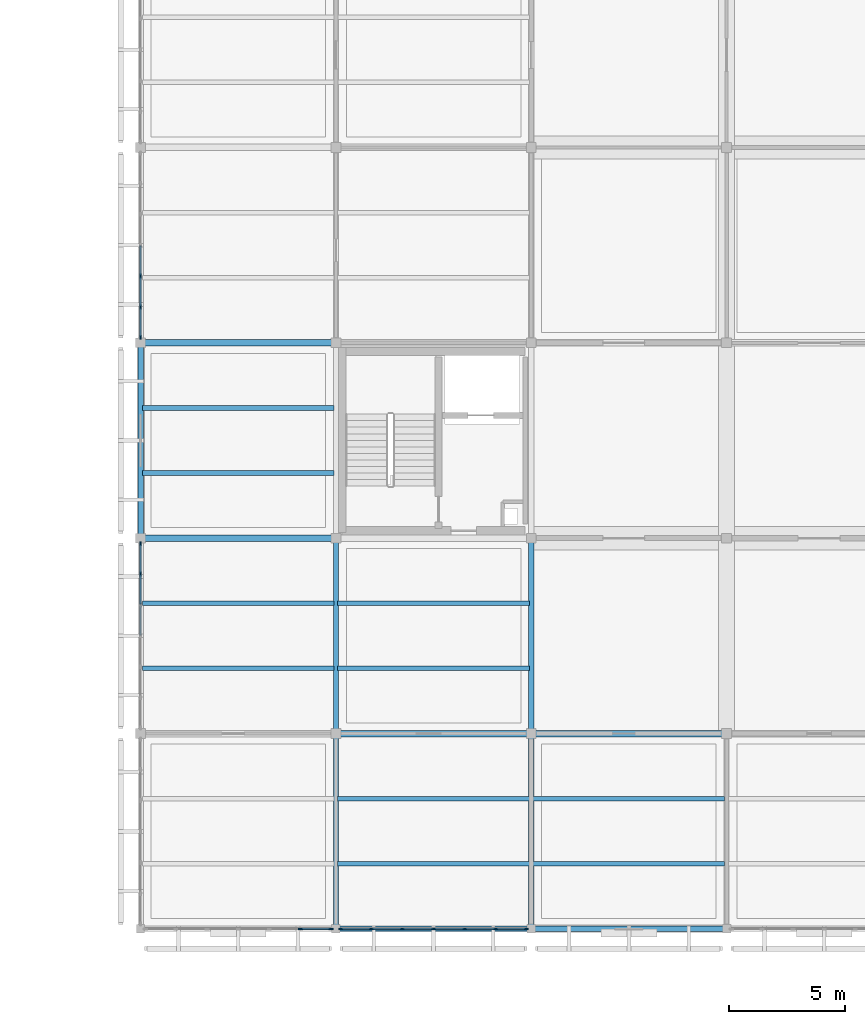
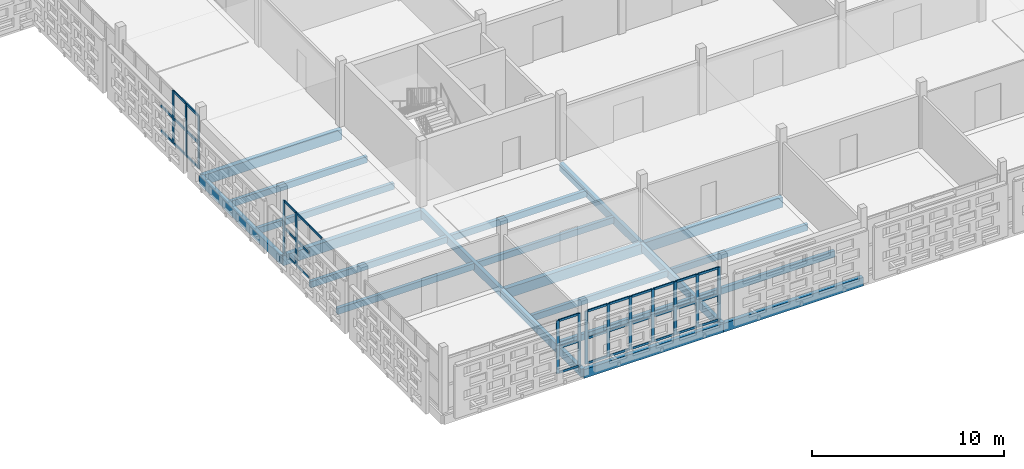
# One storey, part 17 of 166: 50 members, 21 beams, 4 elements without a shape of their own.
"""IFC4 building model written with IfcOpenShell, lengths in metres."""

from ifc_helpers import new_model, si_unit, direction, frame, origin, origin_2d, place, context, subcontext, project, spatial, rectangle, extrude, material, layer, layer_set, material_profile, profile_set, type_object, element, aggregate, save


model = new_model("IFC4")

# Units and contexts
model_context = context("Model", 3, precision=1e-05, world=origin(), true_north=direction((0.0, 1.0)))
body_context = subcontext(model_context, "Body", "Model", "MODEL_VIEW")
ifc_project = project(units=[si_unit("LENGTHUNIT", "METRE"), si_unit("AREAUNIT", "SQUARE_METRE"), si_unit("VOLUMEUNIT", "CUBIC_METRE"), si_unit("PLANEANGLEUNIT", "RADIAN"), si_unit("MASSUNIT", "GRAM", prefix="KILO")], contexts=[model_context])

# Site, building, storey
site_placement = place(None, origin())
site = spatial("IfcSite", under=ifc_project, at=site_placement, CompositionType="ELEMENT")
building_placement = place(site_placement, origin())
building = spatial("IfcBuilding", under=site, at=building_placement, Name="Varnapada Polytechnic", CompositionType="ELEMENT")
storey_placement = place(building_placement, frame((0.0, 0.0, 9.60009765625)))
storey = spatial("IfcBuildingStorey", under=building, at=storey_placement, Name="L02", CompositionType="ELEMENT", Elevation=9.60009765625)

# Beams
ifc_material_1 = material(Name="Glulam GL32h", Category="wood")
ifc_material_profile_1 = material_profile(ifc_material_1, rectangle(XDim=0.280029296875, YDim=0.639892578125, at=origin_2d()), Name="GL 280x640")
ifc_profile_set_1 = profile_set([ifc_material_profile_1], Name="Glulam GL32h")
beam_type_1 = type_object("IfcBeamType", Name="Laboratory primary glulam girder GG-02 (GL 280x640)", PredefinedType="BEAM", material=ifc_profile_set_1)
for number, where, z_axis, x_axis, name in (
    (1, (8.39990234375, 16.800048828125, -0.56005859375), (1.0, 0.0, 0.0), (0.0, 1.0, 0.0), "L02 beam X 2-3 at Y3"),
    (2, (8.39990234375, 25.199951171875, -0.56005859375), (1.0, 0.0, 0.0), (0.0, 1.0, 0.0), "L02 beam X 2-3 at Y4"),
):
    element("IfcBeam", number, at=place(storey_placement, frame(where, z_axis=z_axis, x_axis=x_axis)), inside=storey, type_object=beam_type_1, Name=name, PredefinedType="BEAM", context=body_context, shape_type="SweptSolid", body=[
        extrude(rectangle(XDim=0.280029296875, YDim=0.639892578125, at=origin_2d()), origin(), (0.0, 0.0, 1.0), 8.400146484375),
    ])
beam_1_placement = place(storey_placement, frame((16.800048828125, 8.39990234375, -0.56005859375), z_axis=(1.0, 0.0, 0.0), x_axis=(0.0, 1.0, 0.0)))
element("IfcBeam", 3, at=beam_1_placement, inside=storey, type_object=beam_type_1, Name="L02 beam X 3-4 at Y2", PredefinedType="BEAM", context=body_context, shape_type="SweptSolid", body=[
    extrude(rectangle(XDim=0.280029296875, YDim=0.639892578125, at=origin_2d()), origin(), (0.0, 0.0, 1.0), 8.39990234375),
])
beam_2_placement = place(storey_placement, frame((25.199951171875, 8.39990234375, -0.56005859375), z_axis=(1.0, 0.0, 0.0), x_axis=(0.0, 1.0, 0.0)))
element("IfcBeam", 4, at=beam_2_placement, inside=storey, type_object=beam_type_1, Name="L02 beam X 4-5 at Y2", PredefinedType="BEAM", context=body_context, shape_type="SweptSolid", body=[
    extrude(rectangle(XDim=0.280029296875, YDim=0.639892578125, at=origin_2d()), origin(), (0.0, 0.0, 1.0), 8.400146484375),
])
ifc_material_profile_2 = material_profile(ifc_material_1, rectangle(XDim=0.219970703125, YDim=0.52001953125, at=origin_2d()), Name="GL 220x520")
ifc_profile_set_2 = profile_set([ifc_material_profile_2], Name="Glulam GL32h")
beam_type_2 = type_object("IfcBeamType", Name="Laboratory transverse glulam beam GB-12 (GL 220x520)", PredefinedType="BEAM", material=ifc_profile_set_2)
beam_3_placement = place(storey_placement, frame((16.800048828125, 0.0, -0.5), z_axis=(0.0, 1.0, 0.0), x_axis=(-1.0, 0.0, 0.0)))
element("IfcBeam", 5, at=beam_3_placement, inside=storey, type_object=beam_type_2, Name="L02 beam Y 1-2 at X3", PredefinedType="BEAM", context=body_context, shape_type="SweptSolid", body=[
    extrude(rectangle(XDim=0.219970703125, YDim=0.52001953125, at=origin_2d()), origin(), (0.0, 0.0, 1.0), 8.39990234375),
])
beam_4_placement = place(storey_placement, frame((16.800048828125, 8.39990234375, -0.5), z_axis=(0.0, 1.0, 0.0), x_axis=(-1.0, 0.0, 0.0)))
element("IfcBeam", 6, at=beam_4_placement, inside=storey, type_object=beam_type_2, Name="L02 beam Y 2-3 at X3", PredefinedType="BEAM", context=body_context, shape_type="SweptSolid", body=[
    extrude(rectangle(XDim=0.219970703125, YDim=0.52001953125, at=origin_2d()), origin(), (0.0, 0.0, 1.0), 8.400146484375),
])
beam_5_placement = place(storey_placement, frame((25.199951171875, 0.0, -0.5), z_axis=(0.0, 1.0, 0.0), x_axis=(-1.0, 0.0, 0.0)))
element("IfcBeam", 7, at=beam_5_placement, inside=storey, type_object=beam_type_2, Name="L02 beam Y 1-2 at X4", PredefinedType="BEAM", context=body_context, shape_type="SweptSolid", body=[
    extrude(rectangle(XDim=0.219970703125, YDim=0.52001953125, at=origin_2d()), origin(), (0.0, 0.0, 1.0), 8.39990234375),
])
beam_6_placement = place(storey_placement, frame((25.199951171875, 8.39990234375, -0.5), z_axis=(0.0, 1.0, 0.0), x_axis=(-1.0, 0.0, 0.0)))
element("IfcBeam", 8, at=beam_6_placement, inside=storey, type_object=beam_type_2, Name="L02 beam Y 2-3 at X4", PredefinedType="BEAM", context=body_context, shape_type="SweptSolid", body=[
    extrude(rectangle(XDim=0.219970703125, YDim=0.52001953125, at=origin_2d()), origin(), (0.0, 0.0, 1.0), 8.400146484375),
])
ifc_material_profile_3 = material_profile(ifc_material_1, rectangle(XDim=0.199951171875, YDim=0.39990234375, at=origin_2d()), Name="GL 200x400")
ifc_profile_set_3 = profile_set([ifc_material_profile_3], Name="Glulam GL32h")
beam_type_3 = type_object("IfcBeamType", Name="Library/laboratory glulam floor joist GJ-01 (GL 200x400)", PredefinedType="JOIST", material=ifc_profile_set_3)
for number, where, z_axis, x_axis, name in (
    (9, (8.47998046875, 11.199951171875, -0.440185546875), (1.0, 0.0, 0.0), (0.0, 1.0, 0.0), "L02 floor joist 2/2.1"),
    (10, (8.47998046875, 14.0, -0.440185546875), (1.0, 0.0, 0.0), (0.0, 1.0, 0.0), "L02 floor joist 2/2.2"),
    (11, (8.47998046875, 19.60009765625, -0.440185546875), (1.0, 0.0, 0.0), (0.0, 1.0, 0.0), "L02 floor joist 2/3.1"),
    (12, (8.47998046875, 22.39990234375, -0.440185546875), (1.0, 0.0, 0.0), (0.0, 1.0, 0.0), "L02 floor joist 2/3.2"),
):
    element("IfcBeam", number, at=place(storey_placement, frame(where, z_axis=z_axis, x_axis=x_axis)), inside=storey, type_object=beam_type_3, Name=name, PredefinedType="JOIST", context=body_context, shape_type="SweptSolid", body=[
        extrude(rectangle(XDim=0.199951171875, YDim=0.39990234375, at=origin_2d()), origin(), (0.0, 0.0, 1.0), 8.239990234375),
    ])
for number, where, z_axis, x_axis, name in (
    (13, (16.8798828125, 2.800048828125, -0.440185546875), (1.0, 0.0, 0.0), (0.0, 1.0, 0.0), "L02 floor joist 3/1.1"),
    (14, (16.8798828125, 5.60009765625, -0.440185546875), (1.0, 0.0, 0.0), (0.0, 1.0, 0.0), "L02 floor joist 3/1.2"),
    (15, (16.8798828125, 11.199951171875, -0.440185546875), (1.0, 0.0, 0.0), (0.0, 1.0, 0.0), "L02 floor joist 3/2.1"),
    (16, (16.8798828125, 14.0, -0.440185546875), (1.0, 0.0, 0.0), (0.0, 1.0, 0.0), "L02 floor joist 3/2.2"),
):
    element("IfcBeam", number, at=place(storey_placement, frame(where, z_axis=z_axis, x_axis=x_axis)), inside=storey, type_object=beam_type_3, Name=name, PredefinedType="JOIST", context=body_context, shape_type="SweptSolid", body=[
        extrude(rectangle(XDim=0.199951171875, YDim=0.39990234375, at=origin_2d()), origin(), (0.0, 0.0, 1.0), 8.240234375),
    ])
for number, where, z_axis, x_axis, name in (
    (17, (25.280029296875, 2.800048828125, -0.440185546875), (1.0, 0.0, 0.0), (0.0, 1.0, 0.0), "L02 floor joist 4/1.1"),
    (18, (25.280029296875, 5.60009765625, -0.440185546875), (1.0, 0.0, 0.0), (0.0, 1.0, 0.0), "L02 floor joist 4/1.2"),
):
    element("IfcBeam", number, at=place(storey_placement, frame(where, z_axis=z_axis, x_axis=x_axis)), inside=storey, type_object=beam_type_3, Name=name, PredefinedType="JOIST", context=body_context, shape_type="SweptSolid", body=[
        extrude(rectangle(XDim=0.199951171875, YDim=0.39990234375, at=origin_2d()), origin(), (0.0, 0.0, 1.0), 8.239990234375),
    ])

# Curtain wall, members
ifc_material_2 = material(Name="Double low-E laminated glass", Category="glass")
ifc_layer = layer(ifc_material_2, 0.179931640625)
ifc_layer_set = layer_set([ifc_layer], Name="Double low-E laminated glass")
curtain_wall_type = type_object("IfcCurtainWallType", Name="Curtain Wall CW-03", PredefinedType="NOTDEFINED", material=ifc_layer_set)
curtain_wall_1_placement = place(storey_placement, origin())
curtain_wall_1 = element("IfcCurtainWall", 19, at=curtain_wall_1_placement, inside=storey, type_object=curtain_wall_type, Name="L02 unitised curtain wall CW-03 (136)", PredefinedType="NOTDEFINED")
ifc_material_3 = material(Name="Anodised aluminium", Category="aluminium")
ifc_material_profile_4 = material_profile(ifc_material_3, rectangle(XDim=0.06494140625, YDim=0.179931640625, at=origin_2d()), Name="ALU M65x180")
ifc_profile_set_4 = profile_set([ifc_material_profile_4], Name="Anodised aluminium")
member_type_1 = type_object("IfcMemberType", Name="Mullion M-02", PredefinedType="MULLION", material=ifc_profile_set_4)
member_1_placement = place(storey_placement, frame((16.58740234375, 0.0, 0.0), z_axis=(0.0, 0.0, 1.0), x_axis=(0.0, -1.0, 0.0)))
member_1 = element("IfcMember", 20, at=member_1_placement, type_object=member_type_1, Name="CW-03 mullion 1", PredefinedType="MULLION", context=body_context, shape_type="SweptSolid", body=[
    extrude(rectangle(XDim=0.06494140625, YDim=0.179931640625, at=origin_2d()), origin(), (0.0, 0.0, 1.0), 3.35986328125),
])
member_2_placement = place(storey_placement, frame((15.280029296875, 0.0, 0.0), z_axis=(0.0, 0.0, 1.0), x_axis=(0.0, -1.0, 0.0)))
member_2 = element("IfcMember", 21, at=member_2_placement, type_object=member_type_1, Name="CW-03 mullion 2", PredefinedType="MULLION", context=body_context, shape_type="SweptSolid", body=[
    extrude(rectangle(XDim=0.06494140625, YDim=0.179931640625, at=origin_2d()), origin(), (0.0, 0.0, 1.0), 3.35986328125),
])

curtain_wall_2_placement = place(storey_placement, origin())
curtain_wall_2 = element("IfcCurtainWall", 22, at=curtain_wall_2_placement, inside=storey, type_object=curtain_wall_type, Name="L02 unitised curtain wall CW-03 (138)", PredefinedType="NOTDEFINED")
member_3_placement = place(storey_placement, frame((8.39990234375, 15.260009765625, 0.0), z_axis=(0.0, 0.0, 1.0), x_axis=(-1.0, 0.0, 0.0)))
member_3 = element("IfcMember", 23, at=member_3_placement, type_object=member_type_1, Name="CW-03 mullion 6", PredefinedType="MULLION", context=body_context, shape_type="SweptSolid", body=[
    extrude(rectangle(XDim=0.06494140625, YDim=0.179931640625, at=origin_2d()), origin(), (0.0, 0.0, 1.0), 3.35986328125),
])
member_4_placement = place(storey_placement, frame((8.39990234375, 16.5576171875, 0.0), z_axis=(0.0, 0.0, 1.0), x_axis=(-1.0, 0.0, 0.0)))
member_4 = element("IfcMember", 24, at=member_4_placement, type_object=member_type_1, Name="CW-03 mullion 7", PredefinedType="MULLION", context=body_context, shape_type="SweptSolid", body=[
    extrude(rectangle(XDim=0.06494140625, YDim=0.179931640625, at=origin_2d()), origin(), (0.0, 0.0, 1.0), 3.35986328125),
])

curtain_wall_3_placement = place(storey_placement, origin())
curtain_wall_3 = element("IfcCurtainWall", 25, at=curtain_wall_3_placement, inside=storey, type_object=curtain_wall_type, Name="L02 unitised curtain wall CW-03 (139)", PredefinedType="NOTDEFINED")
member_5_placement = place(storey_placement, frame((8.39990234375, 25.4423828125, 0.0), z_axis=(0.0, 0.0, 1.0), x_axis=(-1.0, 0.0, 0.0)))
member_5 = element("IfcMember", 26, at=member_5_placement, type_object=member_type_1, Name="CW-03 mullion 1", PredefinedType="MULLION", context=body_context, shape_type="SweptSolid", body=[
    extrude(rectangle(XDim=0.06494140625, YDim=0.179931640625, at=origin_2d()), origin(), (0.0, 0.0, 1.0), 3.35986328125),
])
member_6_placement = place(storey_placement, frame((8.39990234375, 26.739990234375, 0.0), z_axis=(0.0, 0.0, 1.0), x_axis=(-1.0, 0.0, 0.0)))
member_6 = element("IfcMember", 27, at=member_6_placement, type_object=member_type_1, Name="CW-03 mullion 2", PredefinedType="MULLION", context=body_context, shape_type="SweptSolid", body=[
    extrude(rectangle(XDim=0.06494140625, YDim=0.179931640625, at=origin_2d()), origin(), (0.0, 0.0, 1.0), 3.35986328125),
])
member_7_placement = place(storey_placement, frame((8.39990234375, 28.070068359375, 0.0), z_axis=(0.0, 0.0, 1.0), x_axis=(-1.0, 0.0, 0.0)))
member_7 = element("IfcMember", 28, at=member_7_placement, type_object=member_type_1, Name="CW-03 mullion 3", PredefinedType="MULLION", context=body_context, shape_type="SweptSolid", body=[
    extrude(rectangle(XDim=0.06494140625, YDim=0.179931640625, at=origin_2d()), origin(), (0.0, 0.0, 1.0), 3.35986328125),
])

curtain_wall_4_placement = place(storey_placement, origin())
curtain_wall_4 = element("IfcCurtainWall", 29, at=curtain_wall_4_placement, inside=storey, type_object=curtain_wall_type, Name="L02 unitised curtain wall CW-03 (141)", PredefinedType="NOTDEFINED")
member_8_placement = place(storey_placement, frame((24.987548828125, 0.0, 0.0), z_axis=(0.0, 0.0, 1.0), x_axis=(0.0, -1.0, 0.0)))
member_8 = element("IfcMember", 30, at=member_8_placement, type_object=member_type_1, Name="CW-03 mullion 1", PredefinedType="MULLION", context=body_context, shape_type="SweptSolid", body=[
    extrude(rectangle(XDim=0.06494140625, YDim=0.179931640625, at=origin_2d()), origin(), (0.0, 0.0, 1.0), 3.35986328125),
])
member_9_placement = place(storey_placement, frame((23.679931640625, 0.0, 0.0), z_axis=(0.0, 0.0, 1.0), x_axis=(0.0, -1.0, 0.0)))
member_9 = element("IfcMember", 31, at=member_9_placement, type_object=member_type_1, Name="CW-03 mullion 2", PredefinedType="MULLION", context=body_context, shape_type="SweptSolid", body=[
    extrude(rectangle(XDim=0.06494140625, YDim=0.179931640625, at=origin_2d()), origin(), (0.0, 0.0, 1.0), 3.35986328125),
])
member_10_placement = place(storey_placement, frame((22.340087890625, 0.0, 0.0), z_axis=(0.0, 0.0, 1.0), x_axis=(0.0, -1.0, 0.0)))
member_10 = element("IfcMember", 32, at=member_10_placement, type_object=member_type_1, Name="CW-03 mullion 3", PredefinedType="MULLION", context=body_context, shape_type="SweptSolid", body=[
    extrude(rectangle(XDim=0.06494140625, YDim=0.179931640625, at=origin_2d()), origin(), (0.0, 0.0, 1.0), 3.35986328125),
])
member_11_placement = place(storey_placement, frame((21.0, 0.0, 0.0), z_axis=(0.0, 0.0, 1.0), x_axis=(0.0, -1.0, 0.0)))
member_11 = element("IfcMember", 33, at=member_11_placement, type_object=member_type_1, Name="CW-03 mullion 4", PredefinedType="MULLION", context=body_context, shape_type="SweptSolid", body=[
    extrude(rectangle(XDim=0.06494140625, YDim=0.179931640625, at=origin_2d()), origin(), (0.0, 0.0, 1.0), 3.35986328125),
])
member_12_placement = place(storey_placement, frame((19.659912109375, 0.0, 0.0), z_axis=(0.0, 0.0, 1.0), x_axis=(0.0, -1.0, 0.0)))
member_12 = element("IfcMember", 34, at=member_12_placement, type_object=member_type_1, Name="CW-03 mullion 5", PredefinedType="MULLION", context=body_context, shape_type="SweptSolid", body=[
    extrude(rectangle(XDim=0.06494140625, YDim=0.179931640625, at=origin_2d()), origin(), (0.0, 0.0, 1.0), 3.35986328125),
])
member_13_placement = place(storey_placement, frame((18.320068359375, 0.0, 0.0), z_axis=(0.0, 0.0, 1.0), x_axis=(0.0, -1.0, 0.0)))
member_13 = element("IfcMember", 35, at=member_13_placement, type_object=member_type_1, Name="CW-03 mullion 6", PredefinedType="MULLION", context=body_context, shape_type="SweptSolid", body=[
    extrude(rectangle(XDim=0.06494140625, YDim=0.179931640625, at=origin_2d()), origin(), (0.0, 0.0, 1.0), 3.35986328125),
])
member_14_placement = place(storey_placement, frame((17.012451171875, 0.0, 0.0), z_axis=(0.0, 0.0, 1.0), x_axis=(0.0, -1.0, 0.0)))
member_14 = element("IfcMember", 36, at=member_14_placement, type_object=member_type_1, Name="CW-03 mullion 7", PredefinedType="MULLION", context=body_context, shape_type="SweptSolid", body=[
    extrude(rectangle(XDim=0.06494140625, YDim=0.179931640625, at=origin_2d()), origin(), (0.0, 0.0, 1.0), 3.35986328125),
])

# Beams
ifc_material_profile_5 = material_profile(ifc_material_1, rectangle(XDim=0.239990234375, YDim=0.56005859375, at=origin_2d()), Name="GL 240x560")
ifc_profile_set_5 = profile_set([ifc_material_profile_5], Name="Glulam GL32h")
beam_type_4 = type_object("IfcBeamType", Name="Perimeter glulam spandrel beam SP-02 (GL 240x560)", PredefinedType="SPANDREL", material=ifc_profile_set_5)
beam_7_placement = place(storey_placement, frame((16.800048828125, 0.0, -0.52001953125), z_axis=(1.0, 0.0, 0.0), x_axis=(0.0, 1.0, 0.0)))
element("IfcBeam", 37, at=beam_7_placement, inside=storey, type_object=beam_type_4, Name="L02 beam X 3-4 at Y1", PredefinedType="SPANDREL", context=body_context, shape_type="SweptSolid", body=[
    extrude(rectangle(XDim=0.239990234375, YDim=0.56005859375, at=origin_2d()), origin(), (0.0, 0.0, 1.0), 8.39990234375),
])
beam_8_placement = place(storey_placement, frame((25.199951171875, 0.0, -0.52001953125), z_axis=(1.0, 0.0, 0.0), x_axis=(0.0, 1.0, 0.0)))
element("IfcBeam", 38, at=beam_8_placement, inside=storey, type_object=beam_type_4, Name="L02 beam X 4-5 at Y1", PredefinedType="SPANDREL", context=body_context, shape_type="SweptSolid", body=[
    extrude(rectangle(XDim=0.239990234375, YDim=0.56005859375, at=origin_2d()), origin(), (0.0, 0.0, 1.0), 8.400146484375),
])
beam_9_placement = place(storey_placement, frame((8.39990234375, 16.800048828125, -0.52001953125), z_axis=(0.0, 1.0, 0.0), x_axis=(-1.0, 0.0, 0.0)))
element("IfcBeam", 39, at=beam_9_placement, inside=storey, type_object=beam_type_4, Name="L02 beam Y 3-4 at X2", PredefinedType="SPANDREL", context=body_context, shape_type="SweptSolid", body=[
    extrude(rectangle(XDim=0.239990234375, YDim=0.56005859375, at=origin_2d()), origin(), (0.0, 0.0, 1.0), 8.39990234375),
])

# Member
ifc_material_profile_6 = material_profile(ifc_material_3, rectangle(XDim=0.06494140625, YDim=0.139892578125, at=origin_2d()), Name="ALU T65x140")
ifc_profile_set_6 = profile_set([ifc_material_profile_6], Name="Anodised aluminium")
member_type_2 = type_object("IfcMemberType", Name="Transom T-02", PredefinedType="USERDEFINED", material=ifc_profile_set_6)
member_15_placement = place(storey_placement, frame((16.554931640625, 0.0, 0.032470703125), z_axis=(-1.0, 0.0, 0.0), x_axis=(0.0, -1.0, 0.0)))
member_15 = element("IfcMember", 40, at=member_15_placement, type_object=member_type_2, Name="CW-03 transom 1.1", ObjectType="TRANSOM", PredefinedType="USERDEFINED", context=body_context, shape_type="SweptSolid", body=[
    extrude(rectangle(XDim=0.06494140625, YDim=0.139892578125, at=origin_2d()), origin(), (0.0, 0.0, 1.0), 1.242431640625),
])

member_16_placement = place(storey_placement, frame((16.554931640625, 0.0, 1.61279296875), z_axis=(-1.0, 0.0, 0.0), x_axis=(0.0, -1.0, 0.0)))
member_16 = element("IfcMember", 41, at=member_16_placement, type_object=member_type_2, Name="CW-03 transom 1.2", ObjectType="TRANSOM", PredefinedType="USERDEFINED", context=body_context, shape_type="SweptSolid", body=[
    extrude(rectangle(XDim=0.06494140625, YDim=0.139892578125, at=origin_2d()), origin(), (0.0, 0.0, 1.0), 1.242431640625),
])

member_17_placement = place(storey_placement, frame((16.554931640625, 0.0, 3.327392578125), z_axis=(-1.0, 0.0, 0.0), x_axis=(0.0, -1.0, 0.0)))
member_17 = element("IfcMember", 42, at=member_17_placement, type_object=member_type_2, Name="CW-03 transom 1.3", ObjectType="TRANSOM", PredefinedType="USERDEFINED", context=body_context, shape_type="SweptSolid", body=[
    extrude(rectangle(XDim=0.06494140625, YDim=0.139892578125, at=origin_2d()), origin(), (0.0, 0.0, 1.0), 1.242431640625),
])

aggregate(curtain_wall_1, [member_1, member_2, member_15, member_16, member_17])

member_18_placement = place(storey_placement, frame((8.39990234375, 12.632568359375, 3.327392578125), z_axis=(0.0, 1.0, 0.0), x_axis=(-1.0, 0.0, 0.0)))
member_18 = element("IfcMember", 43, at=member_18_placement, type_object=member_type_2, Name="CW-03 transom 4.3", ObjectType="TRANSOM", PredefinedType="USERDEFINED", context=body_context, shape_type="SweptSolid", body=[
    extrude(rectangle(XDim=0.06494140625, YDim=0.139892578125, at=origin_2d()), origin(), (0.0, 0.0, 1.0), 1.264892578125),
])

member_19_placement = place(storey_placement, frame((8.39990234375, 13.96240234375, 0.032470703125), z_axis=(0.0, 1.0, 0.0), x_axis=(-1.0, 0.0, 0.0)))
member_19 = element("IfcMember", 44, at=member_19_placement, type_object=member_type_2, Name="CW-03 transom 5.1", ObjectType="TRANSOM", PredefinedType="USERDEFINED", context=body_context, shape_type="SweptSolid", body=[
    extrude(rectangle(XDim=0.06494140625, YDim=0.139892578125, at=origin_2d()), origin(), (0.0, 0.0, 1.0), 1.26513671875),
])

member_20_placement = place(storey_placement, frame((8.39990234375, 13.96240234375, 1.61279296875), z_axis=(0.0, 1.0, 0.0), x_axis=(-1.0, 0.0, 0.0)))
member_20 = element("IfcMember", 45, at=member_20_placement, type_object=member_type_2, Name="CW-03 transom 5.2", ObjectType="TRANSOM", PredefinedType="USERDEFINED", context=body_context, shape_type="SweptSolid", body=[
    extrude(rectangle(XDim=0.06494140625, YDim=0.139892578125, at=origin_2d()), origin(), (0.0, 0.0, 1.0), 1.26513671875),
])

member_21_placement = place(storey_placement, frame((8.39990234375, 13.96240234375, 3.327392578125), z_axis=(0.0, 1.0, 0.0), x_axis=(-1.0, 0.0, 0.0)))
member_21 = element("IfcMember", 46, at=member_21_placement, type_object=member_type_2, Name="CW-03 transom 5.3", ObjectType="TRANSOM", PredefinedType="USERDEFINED", context=body_context, shape_type="SweptSolid", body=[
    extrude(rectangle(XDim=0.06494140625, YDim=0.139892578125, at=origin_2d()), origin(), (0.0, 0.0, 1.0), 1.26513671875),
])

member_22_placement = place(storey_placement, frame((8.39990234375, 15.29248046875, 0.032470703125), z_axis=(0.0, 1.0, 0.0), x_axis=(-1.0, 0.0, 0.0)))
member_22 = element("IfcMember", 47, at=member_22_placement, type_object=member_type_2, Name="CW-03 transom 6.1", ObjectType="TRANSOM", PredefinedType="USERDEFINED", context=body_context, shape_type="SweptSolid", body=[
    extrude(rectangle(XDim=0.06494140625, YDim=0.139892578125, at=origin_2d()), origin(), (0.0, 0.0, 1.0), 1.232421875),
])

member_23_placement = place(storey_placement, frame((8.39990234375, 15.29248046875, 1.61279296875), z_axis=(0.0, 1.0, 0.0), x_axis=(-1.0, 0.0, 0.0)))
member_23 = element("IfcMember", 48, at=member_23_placement, type_object=member_type_2, Name="CW-03 transom 6.2", ObjectType="TRANSOM", PredefinedType="USERDEFINED", context=body_context, shape_type="SweptSolid", body=[
    extrude(rectangle(XDim=0.06494140625, YDim=0.139892578125, at=origin_2d()), origin(), (0.0, 0.0, 1.0), 1.232421875),
])

member_24_placement = place(storey_placement, frame((8.39990234375, 15.29248046875, 3.327392578125), z_axis=(0.0, 1.0, 0.0), x_axis=(-1.0, 0.0, 0.0)))
member_24 = element("IfcMember", 49, at=member_24_placement, type_object=member_type_2, Name="CW-03 transom 6.3", ObjectType="TRANSOM", PredefinedType="USERDEFINED", context=body_context, shape_type="SweptSolid", body=[
    extrude(rectangle(XDim=0.06494140625, YDim=0.139892578125, at=origin_2d()), origin(), (0.0, 0.0, 1.0), 1.232421875),
])

aggregate(curtain_wall_2, [member_3, member_4, member_18, member_19, member_20, member_21, member_22, member_23, member_24])

member_25_placement = place(storey_placement, frame((8.39990234375, 25.47509765625, 0.032470703125), z_axis=(0.0, 1.0, 0.0), x_axis=(-1.0, 0.0, 0.0)))
member_25 = element("IfcMember", 50, at=member_25_placement, type_object=member_type_2, Name="CW-03 transom 1.1", ObjectType="TRANSOM", PredefinedType="USERDEFINED", context=body_context, shape_type="SweptSolid", body=[
    extrude(rectangle(XDim=0.06494140625, YDim=0.139892578125, at=origin_2d()), origin(), (0.0, 0.0, 1.0), 1.232421875),
])

member_26_placement = place(storey_placement, frame((8.39990234375, 25.47509765625, 1.61279296875), z_axis=(0.0, 1.0, 0.0), x_axis=(-1.0, 0.0, 0.0)))
member_26 = element("IfcMember", 51, at=member_26_placement, type_object=member_type_2, Name="CW-03 transom 1.2", ObjectType="TRANSOM", PredefinedType="USERDEFINED", context=body_context, shape_type="SweptSolid", body=[
    extrude(rectangle(XDim=0.06494140625, YDim=0.139892578125, at=origin_2d()), origin(), (0.0, 0.0, 1.0), 1.232421875),
])

member_27_placement = place(storey_placement, frame((8.39990234375, 25.47509765625, 3.327392578125), z_axis=(0.0, 1.0, 0.0), x_axis=(-1.0, 0.0, 0.0)))
member_27 = element("IfcMember", 52, at=member_27_placement, type_object=member_type_2, Name="CW-03 transom 1.3", ObjectType="TRANSOM", PredefinedType="USERDEFINED", context=body_context, shape_type="SweptSolid", body=[
    extrude(rectangle(XDim=0.06494140625, YDim=0.139892578125, at=origin_2d()), origin(), (0.0, 0.0, 1.0), 1.232421875),
])

member_28_placement = place(storey_placement, frame((8.39990234375, 26.7724609375, 0.032470703125), z_axis=(0.0, 1.0, 0.0), x_axis=(-1.0, 0.0, 0.0)))
member_28 = element("IfcMember", 53, at=member_28_placement, type_object=member_type_2, Name="CW-03 transom 2.1", ObjectType="TRANSOM", PredefinedType="USERDEFINED", context=body_context, shape_type="SweptSolid", body=[
    extrude(rectangle(XDim=0.06494140625, YDim=0.139892578125, at=origin_2d()), origin(), (0.0, 0.0, 1.0), 1.26513671875),
])

member_29_placement = place(storey_placement, frame((8.39990234375, 26.7724609375, 1.61279296875), z_axis=(0.0, 1.0, 0.0), x_axis=(-1.0, 0.0, 0.0)))
member_29 = element("IfcMember", 54, at=member_29_placement, type_object=member_type_2, Name="CW-03 transom 2.2", ObjectType="TRANSOM", PredefinedType="USERDEFINED", context=body_context, shape_type="SweptSolid", body=[
    extrude(rectangle(XDim=0.06494140625, YDim=0.139892578125, at=origin_2d()), origin(), (0.0, 0.0, 1.0), 1.26513671875),
])

member_30_placement = place(storey_placement, frame((8.39990234375, 26.7724609375, 3.327392578125), z_axis=(0.0, 1.0, 0.0), x_axis=(-1.0, 0.0, 0.0)))
member_30 = element("IfcMember", 55, at=member_30_placement, type_object=member_type_2, Name="CW-03 transom 2.3", ObjectType="TRANSOM", PredefinedType="USERDEFINED", context=body_context, shape_type="SweptSolid", body=[
    extrude(rectangle(XDim=0.06494140625, YDim=0.139892578125, at=origin_2d()), origin(), (0.0, 0.0, 1.0), 1.26513671875),
])

member_31_placement = place(storey_placement, frame((8.39990234375, 28.1025390625, 0.032470703125), z_axis=(0.0, 1.0, 0.0), x_axis=(-1.0, 0.0, 0.0)))
member_31 = element("IfcMember", 56, at=member_31_placement, type_object=member_type_2, Name="CW-03 transom 3.1", ObjectType="TRANSOM", PredefinedType="USERDEFINED", context=body_context, shape_type="SweptSolid", body=[
    extrude(rectangle(XDim=0.06494140625, YDim=0.139892578125, at=origin_2d()), origin(), (0.0, 0.0, 1.0), 1.264892578125),
])

member_32_placement = place(storey_placement, frame((8.39990234375, 28.1025390625, 1.61279296875), z_axis=(0.0, 1.0, 0.0), x_axis=(-1.0, 0.0, 0.0)))
member_32 = element("IfcMember", 57, at=member_32_placement, type_object=member_type_2, Name="CW-03 transom 3.2", ObjectType="TRANSOM", PredefinedType="USERDEFINED", context=body_context, shape_type="SweptSolid", body=[
    extrude(rectangle(XDim=0.06494140625, YDim=0.139892578125, at=origin_2d()), origin(), (0.0, 0.0, 1.0), 1.264892578125),
])

aggregate(curtain_wall_3, [member_5, member_6, member_7, member_25, member_26, member_27, member_28, member_29, member_30, member_31, member_32])

member_33_placement = place(storey_placement, frame((24.955078125, 0.0, 0.032470703125), z_axis=(-1.0, 0.0, 0.0), x_axis=(0.0, -1.0, 0.0)))
member_33 = element("IfcMember", 58, at=member_33_placement, type_object=member_type_2, Name="CW-03 transom 1.1", ObjectType="TRANSOM", PredefinedType="USERDEFINED", context=body_context, shape_type="SweptSolid", body=[
    extrude(rectangle(XDim=0.06494140625, YDim=0.139892578125, at=origin_2d()), origin(), (0.0, 0.0, 1.0), 1.24267578125),
])

member_34_placement = place(storey_placement, frame((24.955078125, 0.0, 1.61279296875), z_axis=(-1.0, 0.0, 0.0), x_axis=(0.0, -1.0, 0.0)))
member_34 = element("IfcMember", 59, at=member_34_placement, type_object=member_type_2, Name="CW-03 transom 1.2", ObjectType="TRANSOM", PredefinedType="USERDEFINED", context=body_context, shape_type="SweptSolid", body=[
    extrude(rectangle(XDim=0.06494140625, YDim=0.139892578125, at=origin_2d()), origin(), (0.0, 0.0, 1.0), 1.24267578125),
])

member_35_placement = place(storey_placement, frame((24.955078125, 0.0, 3.327392578125), z_axis=(-1.0, 0.0, 0.0), x_axis=(0.0, -1.0, 0.0)))
member_35 = element("IfcMember", 60, at=member_35_placement, type_object=member_type_2, Name="CW-03 transom 1.3", ObjectType="TRANSOM", PredefinedType="USERDEFINED", context=body_context, shape_type="SweptSolid", body=[
    extrude(rectangle(XDim=0.06494140625, YDim=0.139892578125, at=origin_2d()), origin(), (0.0, 0.0, 1.0), 1.24267578125),
])

member_36_placement = place(storey_placement, frame((23.6474609375, 0.0, 0.032470703125), z_axis=(-1.0, 0.0, 0.0), x_axis=(0.0, -1.0, 0.0)))
member_36 = element("IfcMember", 61, at=member_36_placement, type_object=member_type_2, Name="CW-03 transom 2.1", ObjectType="TRANSOM", PredefinedType="USERDEFINED", context=body_context, shape_type="SweptSolid", body=[
    extrude(rectangle(XDim=0.06494140625, YDim=0.139892578125, at=origin_2d()), origin(), (0.0, 0.0, 1.0), 1.27490234375),
])

member_37_placement = place(storey_placement, frame((23.6474609375, 0.0, 1.61279296875), z_axis=(-1.0, 0.0, 0.0), x_axis=(0.0, -1.0, 0.0)))
member_37 = element("IfcMember", 62, at=member_37_placement, type_object=member_type_2, Name="CW-03 transom 2.2", ObjectType="TRANSOM", PredefinedType="USERDEFINED", context=body_context, shape_type="SweptSolid", body=[
    extrude(rectangle(XDim=0.06494140625, YDim=0.139892578125, at=origin_2d()), origin(), (0.0, 0.0, 1.0), 1.27490234375),
])

member_38_placement = place(storey_placement, frame((23.6474609375, 0.0, 3.327392578125), z_axis=(-1.0, 0.0, 0.0), x_axis=(0.0, -1.0, 0.0)))
member_38 = element("IfcMember", 63, at=member_38_placement, type_object=member_type_2, Name="CW-03 transom 2.3", ObjectType="TRANSOM", PredefinedType="USERDEFINED", context=body_context, shape_type="SweptSolid", body=[
    extrude(rectangle(XDim=0.06494140625, YDim=0.139892578125, at=origin_2d()), origin(), (0.0, 0.0, 1.0), 1.27490234375),
])

member_39_placement = place(storey_placement, frame((22.3076171875, 0.0, 0.032470703125), z_axis=(-1.0, 0.0, 0.0), x_axis=(0.0, -1.0, 0.0)))
member_39 = element("IfcMember", 64, at=member_39_placement, type_object=member_type_2, Name="CW-03 transom 3.1", ObjectType="TRANSOM", PredefinedType="USERDEFINED", context=body_context, shape_type="SweptSolid", body=[
    extrude(rectangle(XDim=0.06494140625, YDim=0.139892578125, at=origin_2d()), origin(), (0.0, 0.0, 1.0), 1.275146484375),
])

member_40_placement = place(storey_placement, frame((22.3076171875, 0.0, 1.61279296875), z_axis=(-1.0, 0.0, 0.0), x_axis=(0.0, -1.0, 0.0)))
member_40 = element("IfcMember", 65, at=member_40_placement, type_object=member_type_2, Name="CW-03 transom 3.2", ObjectType="TRANSOM", PredefinedType="USERDEFINED", context=body_context, shape_type="SweptSolid", body=[
    extrude(rectangle(XDim=0.06494140625, YDim=0.139892578125, at=origin_2d()), origin(), (0.0, 0.0, 1.0), 1.275146484375),
])

member_41_placement = place(storey_placement, frame((22.3076171875, 0.0, 3.327392578125), z_axis=(-1.0, 0.0, 0.0), x_axis=(0.0, -1.0, 0.0)))
member_41 = element("IfcMember", 66, at=member_41_placement, type_object=member_type_2, Name="CW-03 transom 3.3", ObjectType="TRANSOM", PredefinedType="USERDEFINED", context=body_context, shape_type="SweptSolid", body=[
    extrude(rectangle(XDim=0.06494140625, YDim=0.139892578125, at=origin_2d()), origin(), (0.0, 0.0, 1.0), 1.275146484375),
])

member_42_placement = place(storey_placement, frame((20.967529296875, 0.0, 0.032470703125), z_axis=(-1.0, 0.0, 0.0), x_axis=(0.0, -1.0, 0.0)))
member_42 = element("IfcMember", 67, at=member_42_placement, type_object=member_type_2, Name="CW-03 transom 4.1", ObjectType="TRANSOM", PredefinedType="USERDEFINED", context=body_context, shape_type="SweptSolid", body=[
    extrude(rectangle(XDim=0.06494140625, YDim=0.139892578125, at=origin_2d()), origin(), (0.0, 0.0, 1.0), 1.275146484375),
])

member_43_placement = place(storey_placement, frame((20.967529296875, 0.0, 1.61279296875), z_axis=(-1.0, 0.0, 0.0), x_axis=(0.0, -1.0, 0.0)))
member_43 = element("IfcMember", 68, at=member_43_placement, type_object=member_type_2, Name="CW-03 transom 4.2", ObjectType="TRANSOM", PredefinedType="USERDEFINED", context=body_context, shape_type="SweptSolid", body=[
    extrude(rectangle(XDim=0.06494140625, YDim=0.139892578125, at=origin_2d()), origin(), (0.0, 0.0, 1.0), 1.275146484375),
])

member_44_placement = place(storey_placement, frame((20.967529296875, 0.0, 3.327392578125), z_axis=(-1.0, 0.0, 0.0), x_axis=(0.0, -1.0, 0.0)))
member_44 = element("IfcMember", 69, at=member_44_placement, type_object=member_type_2, Name="CW-03 transom 4.3", ObjectType="TRANSOM", PredefinedType="USERDEFINED", context=body_context, shape_type="SweptSolid", body=[
    extrude(rectangle(XDim=0.06494140625, YDim=0.139892578125, at=origin_2d()), origin(), (0.0, 0.0, 1.0), 1.275146484375),
])

member_45_placement = place(storey_placement, frame((19.62744140625, 0.0, 0.032470703125), z_axis=(-1.0, 0.0, 0.0), x_axis=(0.0, -1.0, 0.0)))
member_45 = element("IfcMember", 70, at=member_45_placement, type_object=member_type_2, Name="CW-03 transom 5.1", ObjectType="TRANSOM", PredefinedType="USERDEFINED", context=body_context, shape_type="SweptSolid", body=[
    extrude(rectangle(XDim=0.06494140625, YDim=0.139892578125, at=origin_2d()), origin(), (0.0, 0.0, 1.0), 1.27490234375),
])

member_46_placement = place(storey_placement, frame((19.62744140625, 0.0, 1.61279296875), z_axis=(-1.0, 0.0, 0.0), x_axis=(0.0, -1.0, 0.0)))
member_46 = element("IfcMember", 71, at=member_46_placement, type_object=member_type_2, Name="CW-03 transom 5.2", ObjectType="TRANSOM", PredefinedType="USERDEFINED", context=body_context, shape_type="SweptSolid", body=[
    extrude(rectangle(XDim=0.06494140625, YDim=0.139892578125, at=origin_2d()), origin(), (0.0, 0.0, 1.0), 1.27490234375),
])

member_47_placement = place(storey_placement, frame((19.62744140625, 0.0, 3.327392578125), z_axis=(-1.0, 0.0, 0.0), x_axis=(0.0, -1.0, 0.0)))
member_47 = element("IfcMember", 72, at=member_47_placement, type_object=member_type_2, Name="CW-03 transom 5.3", ObjectType="TRANSOM", PredefinedType="USERDEFINED", context=body_context, shape_type="SweptSolid", body=[
    extrude(rectangle(XDim=0.06494140625, YDim=0.139892578125, at=origin_2d()), origin(), (0.0, 0.0, 1.0), 1.27490234375),
])

member_48_placement = place(storey_placement, frame((18.28759765625, 0.0, 0.032470703125), z_axis=(-1.0, 0.0, 0.0), x_axis=(0.0, -1.0, 0.0)))
member_48 = element("IfcMember", 73, at=member_48_placement, type_object=member_type_2, Name="CW-03 transom 6.1", ObjectType="TRANSOM", PredefinedType="USERDEFINED", context=body_context, shape_type="SweptSolid", body=[
    extrude(rectangle(XDim=0.06494140625, YDim=0.139892578125, at=origin_2d()), origin(), (0.0, 0.0, 1.0), 1.24267578125),
])

member_49_placement = place(storey_placement, frame((18.28759765625, 0.0, 1.61279296875), z_axis=(-1.0, 0.0, 0.0), x_axis=(0.0, -1.0, 0.0)))
member_49 = element("IfcMember", 74, at=member_49_placement, type_object=member_type_2, Name="CW-03 transom 6.2", ObjectType="TRANSOM", PredefinedType="USERDEFINED", context=body_context, shape_type="SweptSolid", body=[
    extrude(rectangle(XDim=0.06494140625, YDim=0.139892578125, at=origin_2d()), origin(), (0.0, 0.0, 1.0), 1.24267578125),
])

member_50_placement = place(storey_placement, frame((18.28759765625, 0.0, 3.327392578125), z_axis=(-1.0, 0.0, 0.0), x_axis=(0.0, -1.0, 0.0)))
member_50 = element("IfcMember", 75, at=member_50_placement, type_object=member_type_2, Name="CW-03 transom 6.3", ObjectType="TRANSOM", PredefinedType="USERDEFINED", context=body_context, shape_type="SweptSolid", body=[
    extrude(rectangle(XDim=0.06494140625, YDim=0.139892578125, at=origin_2d()), origin(), (0.0, 0.0, 1.0), 1.24267578125),
])

aggregate(curtain_wall_4, [member_8, member_9, member_10, member_11, member_12, member_13, member_14, member_33, member_34, member_35, member_36, member_37, member_38, member_39, member_40, member_41, member_42, member_43, member_44, member_45, member_46, member_47, member_48, member_49, member_50])

save(model, "model.ifc")
